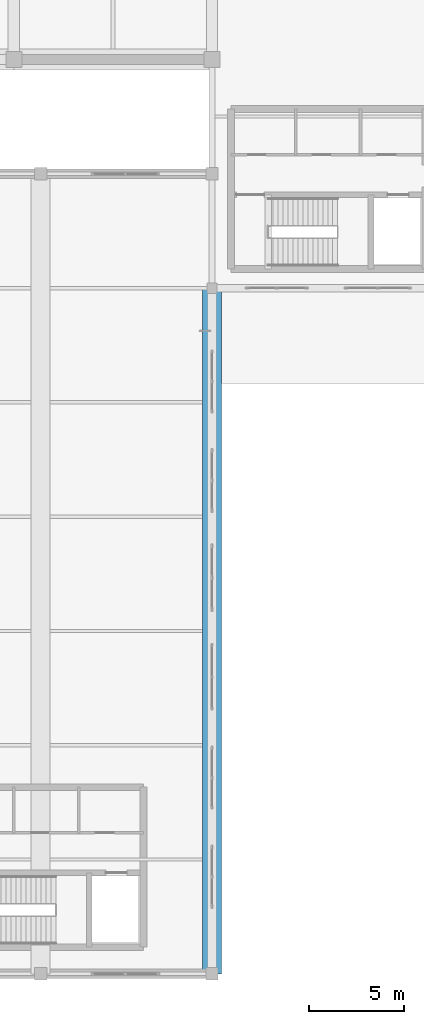
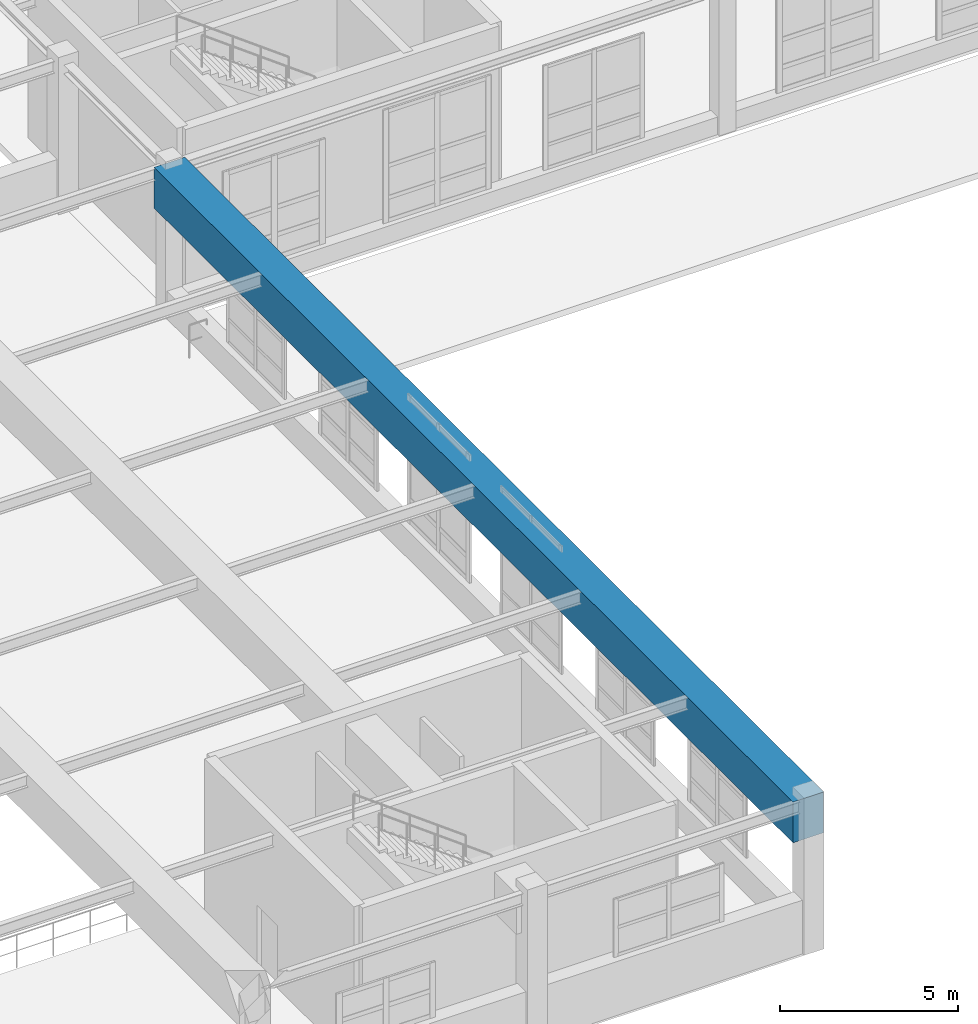
# One storey, part 41 of 197: 1 beam.
"""IFC4 building model written with IfcOpenShell, lengths in metres."""

import ifcopenshell
import ifcopenshell.guid

model = None  # the IFC model being written
_history = None  # IfcOwnerHistory: only IFC2X3 demands one
_inside = {}  # id of a spatial element -> (the spatial element, [elements in it])
_under = {}  # id of a project, library or spatial element -> (it, [spatial elements below it])
_declared = {}  # id of a project -> (the project, [libraries it declares])
_typed = {}  # id of a type object -> (the type object, [elements of that type])
_made_of = {}  # id of a material, layer set ... -> (it, [elements and type objects made of it])


def new_model(schema):
    """Start an empty IFC model of exactly this schema.

    Asked for "IFC4X3", IfcOpenShell would pick the latest addendum, in which some entities
    have other attributes; the version numbers below select the first issue.
    IFC2X3 requires an IfcOwnerHistory on every rooted entity: one is made here for all.
    """
    global model, _history
    if schema == "IFC4X3":
        model = ifcopenshell.file(schema_version=(4, 3, 0, 0))
    else:
        model = ifcopenshell.file(schema=schema)
    _inside.clear()
    _under.clear()
    _declared.clear()
    _typed.clear()
    _made_of.clear()
    _history = None
    if model.schema == "IFC2X3":
        org = make("IfcOrganization", Name="unknown")
        user = make(
            "IfcPersonAndOrganization",
            ThePerson=make("IfcPerson", FamilyName="unknown"),
            TheOrganization=org,
        )
        app = make(
            "IfcApplication",
            ApplicationDeveloper=org,
            Version="unknown",
            ApplicationFullName="unknown",
            ApplicationIdentifier="unknown",
        )
        _history = make(
            "IfcOwnerHistory",
            OwningUser=user,
            OwningApplication=app,
            ChangeAction="ADDED",
            CreationDate=0,
        )
    return model


def make(cls, **values):
    """One entity of the class cls with the attributes given. An attribute that is None is left unset."""
    return model.create_entity(
        cls, **{name: value for name, value in values.items() if value is not None}
    )


def rooted(cls, **values):
    """An entity with a GlobalId (a new one), such as an element, a storey or a relation."""
    return make(cls, GlobalId=ifcopenshell.guid.new(), OwnerHistory=_history, **values)


def si_unit(unit_type, name, prefix=None):
    """IfcSIUnit, for example si_unit("LENGTHUNIT", "METRE", prefix="MILLI")."""
    return make("IfcSIUnit", UnitType=unit_type, Prefix=prefix, Name=name)


def derived_unit(unit_type, elements):
    """IfcDerivedUnit: a product of units, each with its exponent."""
    return make(
        "IfcDerivedUnit",
        Elements=[
            make("IfcDerivedUnitElement", Unit=unit, Exponent=power)
            for unit, power in elements
        ],
        UnitType=unit_type,
    )


def assignment(units):
    """IfcUnitAssignment: the units of a project."""
    return None if units is None else make("IfcUnitAssignment", Units=units)


def point(xyz):
    """IfcCartesianPoint."""
    return None if xyz is None else make("IfcCartesianPoint", Coordinates=xyz)


def direction(xyz):
    """IfcDirection."""
    return None if xyz is None else make("IfcDirection", DirectionRatios=xyz)


def frame(location, z_axis=None, x_axis=None):
    """IfcAxis2Placement3D, a coordinate frame: its origin and axes. An axis left out is left unset."""
    return make(
        "IfcAxis2Placement3D",
        Location=point(location),
        Axis=direction(z_axis),
        RefDirection=direction(x_axis),
    )


def frame_2d(location, x_axis=None):
    """IfcAxis2Placement2D, a coordinate frame in the plane: its origin and x axis."""
    return make(
        "IfcAxis2Placement2D", Location=point(location), RefDirection=direction(x_axis)
    )


def origin():
    """The frame at (0, 0, 0) with its axes left unset."""
    return frame((0.0, 0.0, 0.0))


def origin_2d():
    """The frame at (0, 0) in the plane with its x axis left unset."""
    return frame_2d((0.0, 0.0))


def place(relative_to, where):
    """IfcLocalPlacement: puts the frame where relative to a parent placement (None: the world)."""
    return make(
        "IfcLocalPlacement", PlacementRelTo=relative_to, RelativePlacement=where
    )


def context(
    kind, dimensions, precision=None, world=None, true_north=None, identifier=None
):
    """IfcGeometricRepresentationContext, for example the 3D "Model" context."""
    return make(
        "IfcGeometricRepresentationContext",
        ContextIdentifier=identifier,
        ContextType=kind,
        CoordinateSpaceDimension=dimensions,
        Precision=precision,
        WorldCoordinateSystem=world,
        TrueNorth=true_north,
    )


def subcontext(parent, identifier, kind, view, scale=None):
    """IfcGeometricRepresentationSubContext, for example "Body" below "Model"."""
    return make(
        "IfcGeometricRepresentationSubContext",
        ContextIdentifier=identifier,
        ContextType=kind,
        ParentContext=parent,
        TargetScale=scale,
        TargetView=view,
    )


def project(units=None, contexts=None):
    """IfcProject with its units and contexts."""
    return rooted(
        "IfcProject",
        Name="project",
        RepresentationContexts=contexts,
        UnitsInContext=assignment(units),
    )


def spatial(cls, under=None, at=None, **own):
    """A site, building, storey or space (cls), placed at a placement, below another one or the project."""
    s = rooted(cls, ObjectPlacement=at, **own)
    if under is not None:
        _under.setdefault(under.id(), (under, []))[1].append(s)
    return s


def profile(cls, at=None, kind="AREA", **sizes):
    """A parametric profile (cls). Its sizes go by their IFC names, for example OverallWidth=200.0."""
    return make(cls, ProfileType=kind, Position=at, **sizes)


def rectangle(**sizes):
    """IfcRectangleProfileDef."""
    return profile("IfcRectangleProfileDef", **sizes)


def extrude(swept, where, along, depth):
    """IfcExtrudedAreaSolid: the profile swept, set in the frame where, extruded along a direction by depth."""
    return make(
        "IfcExtrudedAreaSolid",
        SweptArea=swept,
        Position=where,
        ExtrudedDirection=direction(along),
        Depth=depth,
    )


def shape(context_of_items, identifier, shape_type, items):
    """IfcShapeRepresentation: the items that make up one representation, for example the "Body"."""
    return make(
        "IfcShapeRepresentation",
        ContextOfItems=context_of_items,
        RepresentationIdentifier=identifier,
        RepresentationType=shape_type,
        Items=items,
    )


def material(Name=None, Category=None):
    """IfcMaterial."""
    return make("IfcMaterial", Name=Name, Category=Category)


def material_profile(
    of_material, cross_section, Name=None, Category=None, Priority=None
):
    """IfcMaterialProfile: a cross section and its material."""
    return make(
        "IfcMaterialProfile",
        Name=Name,
        Material=of_material,
        Profile=cross_section,
        Priority=Priority,
        Category=Category,
    )


def profile_set(profiles, Name=None, composite=None):
    """IfcMaterialProfileSet."""
    return make(
        "IfcMaterialProfileSet",
        Name=Name,
        MaterialProfiles=profiles,
        CompositeProfile=composite,
    )


def made_of(thing, what):
    """Note that an element or type object is made of a material, layer set ...; save() writes the relation."""
    if what is not None:
        _made_of.setdefault(what.id(), (what, []))[1].append(thing)
    return thing


def type_object(cls, material=None, **own):
    """A type object (cls), such as IfcWallType, which elements share."""
    return made_of(rooted(cls, **own), material)


def element(
    cls,
    number,
    at=None,
    inside=None,
    cuts=None,
    type_object=None,
    material=None,
    context=None,
    identifier="Body",
    shape_type=None,
    held_by="IfcProductDefinitionShape",
    body=None,
    shapes=None,
    **own,
):
    """One element of the class cls, such as IfcWall. Its Tag is "e" and its number.

    at: its placement. inside: the storey or other place that contains it. cuts: it is an
    opening in that element (IfcRelVoidsElement). A single representation is given by context,
    identifier, shape_type and body (its items); several are given by shapes. held_by: the class
    of the entity that holds the representations. save() writes the other relations.
    """
    e = rooted(cls, Tag="e%d" % number, ObjectPlacement=at, **own)
    if body is not None:
        shapes = [shape(context, identifier, shape_type, body)]
    if shapes is not None:
        e.Representation = make(held_by, Representations=shapes)
    if inside is not None:
        _inside.setdefault(inside.id(), (inside, []))[1].append(e)
    if cuts is not None:
        rooted(
            "IfcRelVoidsElement", RelatingBuildingElement=cuts, RelatedOpeningElement=e
        )
    if type_object is not None:
        _typed.setdefault(type_object.id(), (type_object, []))[1].append(e)
    return made_of(e, material)


def aggregate(whole, parts):
    """IfcRelAggregates: a whole, such as a stair, and the parts it consists of."""
    return rooted("IfcRelAggregates", RelatingObject=whole, RelatedObjects=parts)


def save(model, path):
    """Write the relations noted so far, then the file.

    IfcRelAggregates (storeys below a building ...), IfcRelContainedInSpatialStructure (elements
    in a storey), IfcRelDefinesByType, IfcRelAssociatesMaterial and IfcRelDeclares: one each for
    every whole, place, type object, material and project.
    """
    for whole, parts in _under.values():
        aggregate(whole, parts)
    for where, things in _inside.values():
        rooted(
            "IfcRelContainedInSpatialStructure",
            RelatedElements=things,
            RelatingStructure=where,
        )
    for kind, things in _typed.values():
        rooted("IfcRelDefinesByType", RelatedObjects=things, RelatingType=kind)
    for what, things in _made_of.values():
        rooted("IfcRelAssociatesMaterial", RelatedObjects=things, RelatingMaterial=what)
    for by, libraries in _declared.values():
        rooted("IfcRelDeclares", RelatingContext=by, RelatedDefinitions=libraries)
    model.write(path)


model = new_model("IFC4")

# Units and contexts
model_context = context("Model", 3, precision=1e-05, world=origin(), true_north=direction((0.0, 1.0)))
body_context = subcontext(model_context, "Body", "Model", "MODEL_VIEW")
ifc_project = project(units=[si_unit("LENGTHUNIT", "METRE"), si_unit("AREAUNIT", "SQUARE_METRE"), si_unit("VOLUMEUNIT", "CUBIC_METRE"), si_unit("PLANEANGLEUNIT", "RADIAN"), si_unit("MASSUNIT", "GRAM", prefix="KILO"), derived_unit("THERMALTRANSMITTANCEUNIT", [(si_unit("POWERUNIT", "WATT"), 1), (si_unit("LENGTHUNIT", "METRE"), -2), (si_unit("THERMODYNAMICTEMPERATUREUNIT", "KELVIN"), -1)])], contexts=[model_context])

# Site, building, storey
site_placement = place(None, origin())
site = spatial("IfcSite", under=ifc_project, at=site_placement, CompositionType="ELEMENT")
building_placement = place(site_placement, origin())
building = spatial("IfcBuilding", under=site, at=building_placement, Name="Almenara Railside Exhibition Hall", CompositionType="ELEMENT")
storey_placement = place(building_placement, frame((0.0, 0.0, 5.39990234375)))
storey = spatial("IfcBuildingStorey", under=building, at=storey_placement, Name="L01", CompositionType="ELEMENT", Elevation=5.39990234375)

# Beam
ifc_material = material(Name="Concrete C40/50", Category="concrete")
ifc_material_profile = material_profile(ifc_material, rectangle(XDim=1.0, YDim=1.39990234375, at=origin_2d()), Name="RC 1000x1400")
ifc_profile_set = profile_set([ifc_material_profile], Name="Concrete C40/50")
beam_type = type_object("IfcBeamType", Name="RC Primary Girder 1000x1400 C40/50", PredefinedType="USERDEFINED", material=ifc_profile_set)
beam_placement = place(storey_placement, frame((66.0, 0.0, 4.43603515625), z_axis=(0.0, 1.0, 0.0), x_axis=(-1.0, 0.0, 0.0)))
element("IfcBeam", 1, at=beam_placement, inside=storey, type_object=beam_type, Name="Beam 0870", ObjectType="GIRDER", PredefinedType="USERDEFINED", context=body_context, shape_type="SweptSolid", body=[
    extrude(rectangle(XDim=1.0, YDim=1.39990234375, at=origin_2d()), origin(), (0.0, 0.0, 1.0), 36.0),
])

save(model, "model.ifc")
